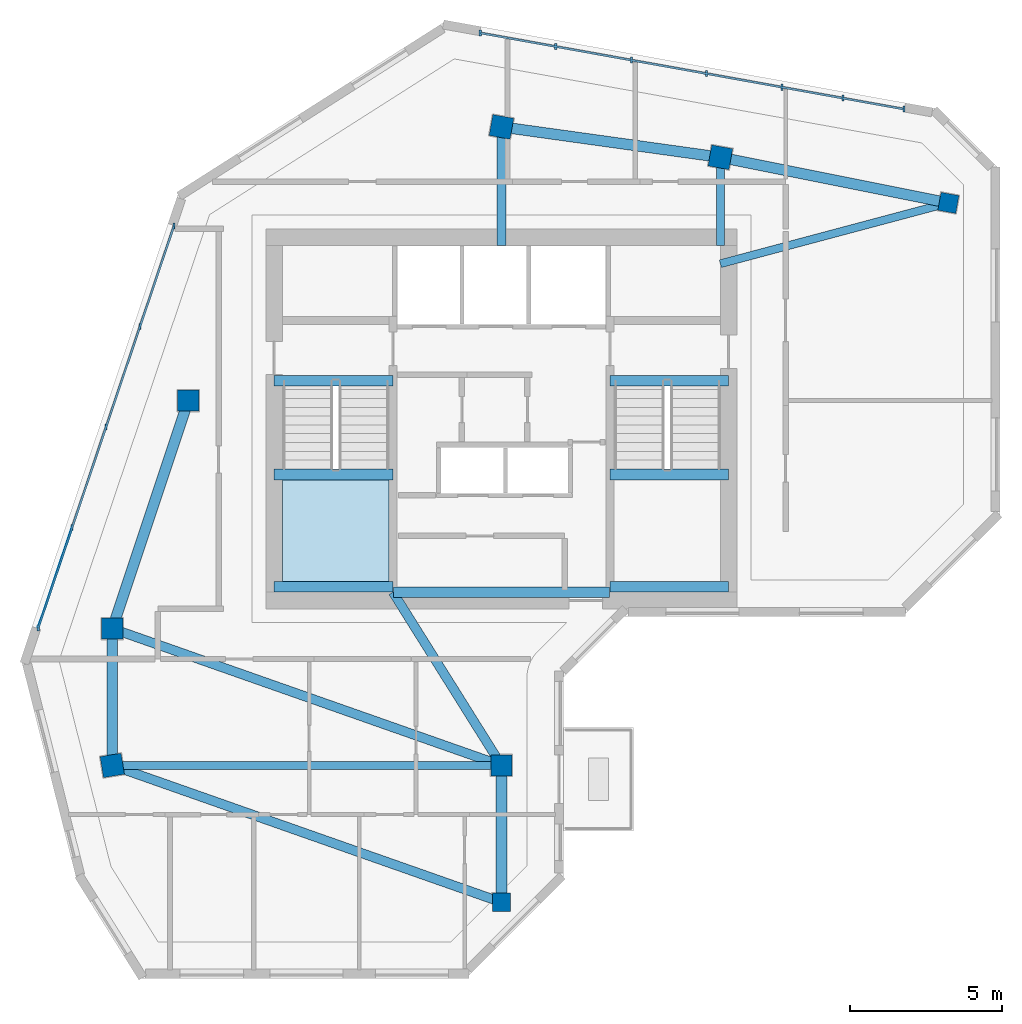
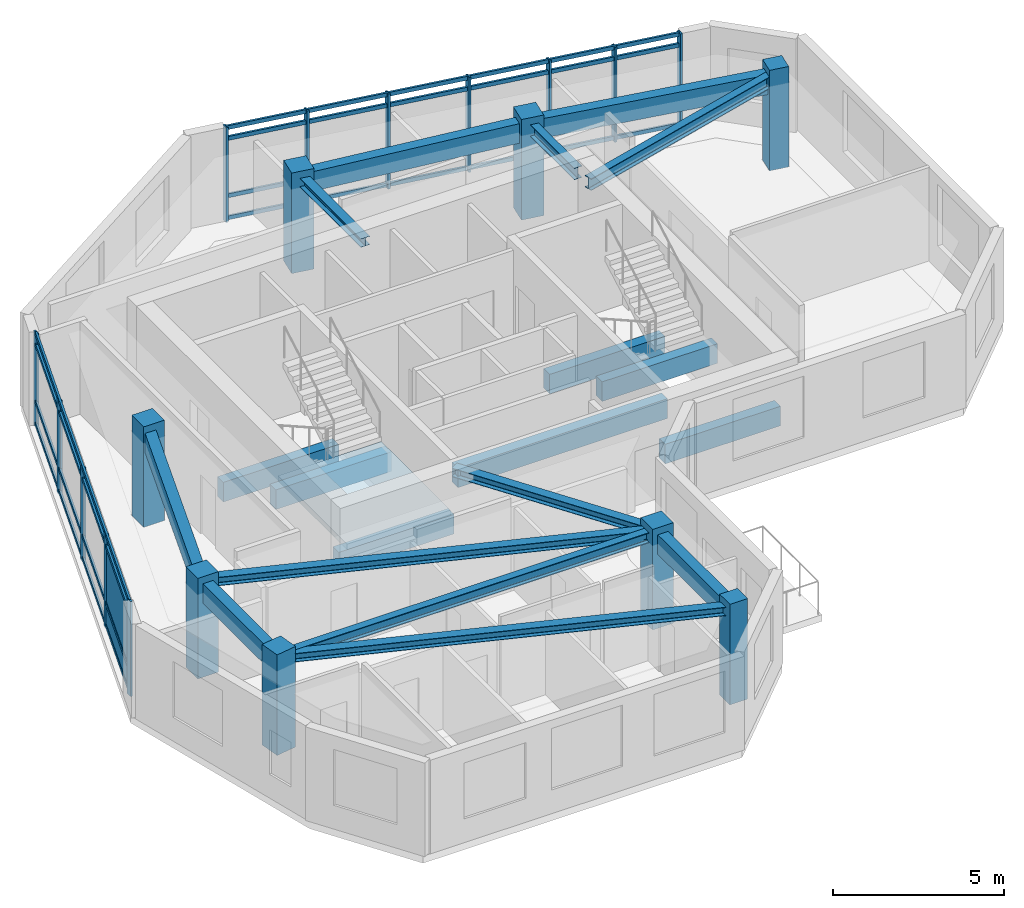
# One storey, part 1 of 7: 20 members, 19 beams, 8 columns, 2 plates, 1 slab, 3 elements without a shape of their own.
"""IFC4 building model written with IfcOpenShell, lengths in metres."""

from ifc_helpers import new_model, si_unit, direction, frame, frame_2d, origin, origin_2d, place, context, subcontext, project, spatial, polyline, rectangle, i_section, outline, extrude, source, transform, mapped, material, layer, layer_set, material_profile, profile_set, type_object, element, aggregate, save


model = new_model("IFC4")

# Units and contexts
model_context = context("Model", 3, precision=1e-05, world=origin(), true_north=direction((0.0, 1.0)))
body_context = subcontext(model_context, "Body", "Model", "MODEL_VIEW")
ifc_project = project(units=[si_unit("LENGTHUNIT", "METRE"), si_unit("AREAUNIT", "SQUARE_METRE"), si_unit("VOLUMEUNIT", "CUBIC_METRE"), si_unit("PLANEANGLEUNIT", "RADIAN"), si_unit("MASSUNIT", "GRAM", prefix="KILO")], contexts=[model_context])

# Site, building, storey
site_placement = place(None, origin())
site = spatial("IfcSite", under=ifc_project, at=site_placement, CompositionType="ELEMENT")
building_placement = place(site_placement, origin())
building = spatial("IfcBuilding", under=site, at=building_placement, Name="Calvemar Wedge Station Tower", CompositionType="ELEMENT")
storey_placement = place(building_placement, frame((0.0, 0.0, 288.89990234375)))
storey = spatial("IfcBuildingStorey", under=building, at=storey_placement, Name="L74", CompositionType="ELEMENT", Elevation=288.89990234375)

# Columns
ifc_material_1 = material(Name="Concrete C50", Category="concrete")
ifc_material_profile_1 = material_profile(ifc_material_1, rectangle(XDim=0.699951171875, YDim=0.699951171875, at=origin_2d()), Name="RC700x700")
ifc_profile_set_1 = profile_set([ifc_material_profile_1], Name="Concrete C50")
column_type_1 = type_object("IfcColumnType", Name="COL-C7-700", PredefinedType="COLUMN", material=ifc_profile_set_1)
shared_shape_1 = source(origin(), body_context, "Body", "SweptSolid", [
    extrude(rectangle(XDim=0.699951171875, YDim=0.699951171875, at=origin_2d()), origin(), (0.0, 0.0, 1.0), 3.60009765625),
])
for number, where, z_axis, x_axis, name in (
    (1, (11.0, 33.0, 0.0), (0.0, 0.0, 1.0), (1.0, 0.0, 0.0), "Storey L74 Column T-NW1"),
    (2, (13.5, 40.5, 0.0), (0.0, 0.0, 1.0), (1.0, 0.0, 0.0), "Storey L74 Column T-NW2"),
    (3, (23.800048828125, 49.5, 0.0), (0.0, 0.0, 1.0), (0.984195607969, -0.17708474032, 0.0), "Storey L74 Column T-N1"),
    (4, (31.0, 48.5, 0.0), (0.0, 0.0, 1.0), (0.984195607969, -0.17708474032, 0.0), "Storey L74 Column T-N2"),
    (5, (11.0, 28.5, 0.0), (0.0, 0.0, 1.0), (0.158158067254, -0.987413806751, 0.0), "Storey L74 Column T-SW1"),
    (6, (23.800048828125, 28.5, 0.0), (0.0, 0.0, 1.0), (1.0, 0.0, 0.0), "Storey L74 Column T-SE1"),
):
    element("IfcColumn", number, at=place(storey_placement, frame(where, z_axis=z_axis, x_axis=x_axis)), inside=storey, type_object=column_type_1, Name=name, PredefinedType="COLUMN", context=body_context, shape_type="MappedRepresentation", body=[
        mapped(shared_shape_1, transform((0.0, 0.0, 0.0), scale=1.0)),
    ])
ifc_material_profile_2 = material_profile(ifc_material_1, rectangle(XDim=0.60009765625, YDim=0.60009765625, at=origin_2d()), Name="RC600x600")
ifc_profile_set_2 = profile_set([ifc_material_profile_2], Name="Concrete C50")
column_type_2 = type_object("IfcColumnType", Name="COL-C8-600", PredefinedType="COLUMN", material=ifc_profile_set_2)
shared_shape_2 = source(origin(), body_context, "Body", "SweptSolid", [
    extrude(rectangle(XDim=0.60009765625, YDim=0.60009765625, at=origin_2d()), origin(), (0.0, 0.0, 1.0), 3.60009765625),
])
for number, where, z_axis, x_axis, name in (
    (7, (38.5, 47.0, 0.0), (0.0, 0.0, 1.0), (0.984195607969, -0.17708474032, 0.0), "Storey L74 Column T-NU3"),
    (8, (23.800048828125, 24.0, 0.0), (0.0, 0.0, 1.0), (1.0, 0.0, 0.0), "Storey L74 Column T-SE2"),
):
    element("IfcColumn", number, at=place(storey_placement, frame(where, z_axis=z_axis, x_axis=x_axis)), inside=storey, type_object=column_type_2, Name=name, PredefinedType="COLUMN", context=body_context, shape_type="MappedRepresentation", body=[
        mapped(shared_shape_2, transform((0.0, 0.0, 0.0), scale=1.0)),
    ])

# Beams
ifc_material_2 = material(Name="Concrete C70", Category="concrete")
ifc_material_profile_3 = material_profile(ifc_material_2, rectangle(XDim=0.35009765625, YDim=0.699951171875, at=origin_2d()), Name="RC350x700")
ifc_profile_set_3 = profile_set([ifc_material_profile_3], Name="Concrete C70")
beam_type_1 = type_object("IfcBeamType", Name="BM-LN1-700", PredefinedType="LINTEL", material=ifc_profile_set_3)
shared_shape_3 = source(origin(), body_context, "Body", "SweptSolid", [
    extrude(rectangle(XDim=0.35009765625, YDim=0.699951171875, at=origin_2d()), origin(), (0.0, 0.0, 1.0), 7.10009765625),
])
beam_1_placement = place(storey_placement, frame((20.25, 34.199951171875, 3.0), z_axis=(1.0, 0.0, 0.0), x_axis=(0.0, 1.0, 0.0)))
element("IfcBeam", 9, at=beam_1_placement, inside=storey, type_object=beam_type_1, Name="Storey L74 Core Coupling Lintel South", PredefinedType="LINTEL", context=body_context, shape_type="MappedRepresentation", body=[
    mapped(shared_shape_3, transform((0.0, 0.0, 0.0), scale=1.0)),
])
ifc_material_3 = material(Name="Structural steel ASTM A572 Grade 50", Category="steel")
ifc_material_profile_4 = material_profile(ifc_material_3, i_section(OverallWidth=0.304931640625, OverallDepth=0.30810546875, WebThickness=0.010009765625, FlangeThickness=0.015380859375, FilletRadius=0.014892578125, at=origin_2d()), Name="W310x97")
ifc_profile_set_4 = profile_set([ifc_material_profile_4], Name="Structural steel ASTM A572 Grade 50")
beam_type_2 = type_object("IfcBeamType", Name="BM-J6-W310", PredefinedType="JOIST", material=ifc_profile_set_4)
shared_shape_4 = source(origin(), body_context, "Body", "SweptSolid", [
    extrude(i_section(OverallWidth=0.304931640625, OverallDepth=0.30810546875, WebThickness=0.010009765625, FlangeThickness=0.015380859375, FilletRadius=0.014892578125, at=origin_2d()), origin(), (0.0, 0.0, 1.0), 13.568115234375),
])
for number, where, z_axis, x_axis, name in (
    (10, (11.0, 33.0, 3.196044921875), (0.943398221169, -0.331662171939, 0.0), (0.331662171939, 0.943398221169, 0.0), "Storey L74 Floor Beam T-NW1-T-SE1"),
    (11, (11.0, 28.5, 3.196044921875), (0.943398221169, -0.331662171939, 0.0), (0.331662171939, 0.943398221169, 0.0), "Storey L74 Floor Beam T-SW1-T-SE2"),
):
    element("IfcBeam", number, at=place(storey_placement, frame(where, z_axis=z_axis, x_axis=x_axis)), inside=storey, type_object=beam_type_2, Name=name, PredefinedType="JOIST", context=body_context, shape_type="MappedRepresentation", body=[
        mapped(shared_shape_4, transform((0.0, 0.0, 0.0), scale=1.0)),
    ])
ifc_material_profile_5 = material_profile(ifc_material_3, i_section(OverallWidth=0.260986328125, OverallDepth=0.419921875, WebThickness=0.01171875, FlangeThickness=0.019287109375, FilletRadius=0.012939453125, at=origin_2d()), Name="W410x114")
ifc_profile_set_5 = profile_set([ifc_material_profile_5], Name="Structural steel ASTM A572 Grade 50")
beam_type_3 = type_object("IfcBeamType", Name="BM-J2-W410H", PredefinedType="JOIST", material=ifc_profile_set_5)
shared_shape_5 = source(origin(), body_context, "Body", "SweptSolid", [
    extrude(i_section(OverallWidth=0.260986328125, OverallDepth=0.419921875, WebThickness=0.01171875, FlangeThickness=0.019287109375, FilletRadius=0.012939453125, at=origin_2d()), origin(), (0.0, 0.0, 1.0), 7.76220703125),
])
beam_2_placement = place(storey_placement, frame((31.0, 45.0, 3.14013671875), z_axis=(0.966234939601, 0.25766265056, 0.0), x_axis=(-0.25766265056, 0.966234939601, 0.0)))
element("IfcBeam", 12, at=beam_2_placement, inside=storey, type_object=beam_type_3, Name="Storey L74 Core-to-Column Joist CJ-E2", PredefinedType="JOIST", context=body_context, shape_type="MappedRepresentation", body=[
    mapped(shared_shape_5, transform((0.0, 0.0, 0.0), scale=1.0)),
])
shared_shape_6 = source(origin(), body_context, "Body", "SweptSolid", [
    extrude(i_section(OverallWidth=0.304931640625, OverallDepth=0.30810546875, WebThickness=0.010009765625, FlangeThickness=0.015380859375, FilletRadius=0.014892578125, at=origin_2d()), origin(), (0.0, 0.0, 1.0), 3.89990234375),
])
beam_3_placement = place(storey_placement, frame((23.800048828125, 45.60009765625, 3.196044921875), z_axis=(0.0, 1.0, 0.0), x_axis=(-1.0, 0.0, 0.0)))
element("IfcBeam", 13, at=beam_3_placement, inside=storey, type_object=beam_type_2, Name="Storey L74 Core-to-Column Joist CJ-N1", PredefinedType="JOIST", context=body_context, shape_type="MappedRepresentation", body=[
    mapped(shared_shape_6, transform((0.0, 0.0, 0.0), scale=1.0)),
])
shared_shape_7 = source(origin(), body_context, "Body", "SweptSolid", [
    extrude(i_section(OverallWidth=0.260986328125, OverallDepth=0.419921875, WebThickness=0.01171875, FlangeThickness=0.019287109375, FilletRadius=0.012939453125, at=origin_2d()), origin(), (0.0, 0.0, 1.0), 2.89990234375),
])
beam_4_placement = place(storey_placement, frame((31.0, 45.60009765625, 3.14013671875), z_axis=(0.0, 1.0, 0.0), x_axis=(-1.0, 0.0, 0.0)))
element("IfcBeam", 14, at=beam_4_placement, inside=storey, type_object=beam_type_3, Name="Storey L74 Core-to-Column Joist CJ-N2", PredefinedType="JOIST", context=body_context, shape_type="MappedRepresentation", body=[
    mapped(shared_shape_7, transform((0.0, 0.0, 0.0), scale=1.0)),
])
shared_shape_8 = source(origin(), body_context, "Body", "SweptSolid", [
    extrude(i_section(OverallWidth=0.304931640625, OverallDepth=0.30810546875, WebThickness=0.010009765625, FlangeThickness=0.015380859375, FilletRadius=0.014892578125, at=origin_2d()), origin(), (0.0, 0.0, 1.0), 6.7255859375),
])
beam_5_placement = place(storey_placement, frame((20.22998046875, 34.199951171875, 3.196044921875), z_axis=(0.530811158438, -0.847490126242, 0.0), x_axis=(0.847490126242, 0.530811158438, 0.0)))
element("IfcBeam", 15, at=beam_5_placement, inside=storey, type_object=beam_type_2, Name="Storey L74 Core-to-Column Joist CJ-S2", PredefinedType="JOIST", context=body_context, shape_type="MappedRepresentation", body=[
    mapped(shared_shape_8, transform((0.0, 0.0, 0.0), scale=1.0)),
])
ifc_material_profile_6 = material_profile(ifc_material_1, rectangle(XDim=0.35009765625, YDim=0.699951171875, at=origin_2d()), Name="RC350x700")
ifc_profile_set_6 = profile_set([ifc_material_profile_6], Name="Concrete C50")
beam_type_4 = type_object("IfcBeamType", Name="BM-SP2-700", PredefinedType="SPANDREL", material=ifc_profile_set_6)
shared_shape_9 = source(origin(), body_context, "Body", "SweptSolid", [
    extrude(rectangle(XDim=0.35009765625, YDim=0.699951171875, at=origin_2d()), origin(), (0.0, 0.0, 1.0), 7.90576171875),
])
beam_6_placement = place(storey_placement, frame((11.0, 33.0, 3.0), z_axis=(0.316227766017, 0.948683298051, 0.0), x_axis=(-0.948683298051, 0.316227766017, 0.0)))
element("IfcBeam", 16, at=beam_6_placement, inside=storey, type_object=beam_type_4, Name="Storey L74 Spandrel T-NW1-T-NW2", PredefinedType="SPANDREL", context=body_context, shape_type="MappedRepresentation", body=[
    mapped(shared_shape_9, transform((0.0, 0.0, 0.0), scale=1.0)),
])
shared_shape_10 = source(origin(), body_context, "Body", "SweptSolid", [
    extrude(rectangle(XDim=0.35009765625, YDim=0.699951171875, at=origin_2d()), origin(), (0.0, 0.0, 1.0), 7.26904296875),
])
beam_7_placement = place(storey_placement, frame((23.800048828125, 49.5, 3.0), z_axis=(0.990492146053, -0.13756928657, 0.0), x_axis=(0.13756928657, 0.990492146053, 0.0)))
element("IfcBeam", 17, at=beam_7_placement, inside=storey, type_object=beam_type_4, Name="Storey L74 Spandrel T-N1-T-N2", PredefinedType="SPANDREL", context=body_context, shape_type="MappedRepresentation", body=[
    mapped(shared_shape_10, transform((0.0, 0.0, 0.0), scale=1.0)),
])
shared_shape_11 = source(origin(), body_context, "Body", "SweptSolid", [
    extrude(rectangle(XDim=0.35009765625, YDim=0.699951171875, at=origin_2d()), origin(), (0.0, 0.0, 1.0), 7.6484375),
])
beam_8_placement = place(storey_placement, frame((31.0, 48.5, 3.0), z_axis=(0.980580675691, -0.196116135138, 0.0), x_axis=(0.196116135138, 0.980580675691, 0.0)))
element("IfcBeam", 18, at=beam_8_placement, inside=storey, type_object=beam_type_4, Name="Storey L74 Spandrel T-N2-T-NU3", PredefinedType="SPANDREL", context=body_context, shape_type="MappedRepresentation", body=[
    mapped(shared_shape_11, transform((0.0, 0.0, 0.0), scale=1.0)),
])
shared_shape_12 = source(origin(), body_context, "Body", "SweptSolid", [
    extrude(rectangle(XDim=0.35009765625, YDim=0.699951171875, at=origin_2d()), origin(), (0.0, 0.0, 1.0), 4.5),
])
for number, where, z_axis, x_axis, name in (
    (19, (11.0, 33.0, 3.0), (0.0, -1.0, 0.0), (1.0, 0.0, 0.0), "Storey L74 Spandrel T-NW1-T-SW1"),
    (20, (23.800048828125, 28.5, 3.0), (0.0, -1.0, 0.0), (1.0, 0.0, 0.0), "Storey L74 Spandrel T-SE1-T-SE2"),
):
    element("IfcBeam", number, at=place(storey_placement, frame(where, z_axis=z_axis, x_axis=x_axis)), inside=storey, type_object=beam_type_4, Name=name, PredefinedType="SPANDREL", context=body_context, shape_type="MappedRepresentation", body=[
        mapped(shared_shape_12, transform((0.0, 0.0, 0.0), scale=1.0)),
    ])
shared_shape_13 = source(origin(), body_context, "Body", "SweptSolid", [
    extrude(rectangle(XDim=0.35009765625, YDim=0.699951171875, at=origin_2d()), origin(), (0.0, 0.0, 1.0), 3.905029296875),
])
for number, where, z_axis, x_axis, name in (
    (21, (16.324951171875, 41.14990234375, -0.349853515625), (1.0, 0.0, 0.0), (0.0, 1.0, 0.0), "Storey L74 Stair ST-C1 Landing Trimmer Beam"),
    (22, (16.324951171875, 34.3798828125, 1.25), (1.0, 0.0, 0.0), (0.0, 1.0, 0.0), "Storey L74 Stair ST-C1 Half-Landing Beam 1A"),
    (23, (16.324951171875, 38.070068359375, 1.25), (1.0, 0.0, 0.0), (0.0, 1.0, 0.0), "Storey L74 Stair ST-C1 Half-Landing Beam 1B"),
):
    element("IfcBeam", number, at=place(storey_placement, frame(where, z_axis=z_axis, x_axis=x_axis)), inside=storey, type_object=beam_type_1, Name=name, PredefinedType="LINTEL", context=body_context, shape_type="MappedRepresentation", body=[
        mapped(shared_shape_13, transform((0.0, 0.0, 0.0), scale=1.0)),
    ])
shared_shape_14 = source(origin(), body_context, "Body", "SweptSolid", [
    extrude(rectangle(XDim=0.35009765625, YDim=0.699951171875, at=origin_2d()), origin(), (0.0, 0.0, 1.0), 3.90478515625),
])
for number, where, z_axis, x_axis, name in (
    (24, (27.3701171875, 41.14990234375, -0.349853515625), (1.0, 0.0, 0.0), (0.0, 1.0, 0.0), "Storey L74 Stair ST-C2 Landing Trimmer Beam"),
    (25, (27.3701171875, 34.3798828125, 1.25), (1.0, 0.0, 0.0), (0.0, 1.0, 0.0), "Storey L74 Stair ST-C2 Half-Landing Beam 1A"),
    (26, (27.3701171875, 38.070068359375, 1.25), (1.0, 0.0, 0.0), (0.0, 1.0, 0.0), "Storey L74 Stair ST-C2 Half-Landing Beam 1B"),
):
    element("IfcBeam", number, at=place(storey_placement, frame(where, z_axis=z_axis, x_axis=x_axis)), inside=storey, type_object=beam_type_1, Name=name, PredefinedType="LINTEL", context=body_context, shape_type="MappedRepresentation", body=[
        mapped(shared_shape_14, transform((0.0, 0.0, 0.0), scale=1.0)),
    ])
ifc_material_profile_7 = material_profile(ifc_material_3, i_section(OverallWidth=0.257080078125, OverallDepth=0.363037109375, WebThickness=0.012939453125, FlangeThickness=0.021728515625, FilletRadius=0.014892578125, at=origin_2d()), Name="W360x122")
ifc_profile_set_7 = profile_set([ifc_material_profile_7], Name="Structural steel ASTM A572 Grade 50")
beam_type_5 = type_object("IfcBeamType", Name="BM-J4-W360", PredefinedType="JOIST", material=ifc_profile_set_7)
shared_shape_15 = source(origin(), body_context, "Body", "SweptSolid", [
    extrude(i_section(OverallWidth=0.257080078125, OverallDepth=0.363037109375, WebThickness=0.012939453125, FlangeThickness=0.021728515625, FilletRadius=0.014892578125, at=origin_2d()), origin(), (0.0, 0.0, 1.0), 12.800048828125),
])
beam_9_placement = place(storey_placement, frame((11.0, 28.5, 3.168701171875), z_axis=(1.0, 0.0, 0.0), x_axis=(0.0, 1.0, 0.0)))
element("IfcBeam", 27, at=beam_9_placement, inside=storey, type_object=beam_type_5, Name="Storey L74 Floor Beam T-SW1-T-SE1", PredefinedType="JOIST", context=body_context, shape_type="MappedRepresentation", body=[
    mapped(shared_shape_15, transform((0.0, 0.0, 0.0), scale=1.0)),
])

# Curtain wall, members
ifc_material_4 = material(Name="Anodised aluminium 6063-T6", Category="aluminium")
curtain_wall_type = type_object("IfcCurtainWallType", Name="CW4", PredefinedType="NOTDEFINED", material=ifc_material_4)
curtain_wall_1_placement = place(storey_placement, origin())
curtain_wall_1 = element("IfcCurtainWall", 28, at=curtain_wall_1_placement, inside=storey, type_object=curtain_wall_type, Name="Storey L74 CW4 Recessed Unitised Curtain Wall 10", PredefinedType="NOTDEFINED")
ifc_material_profile_8 = material_profile(ifc_material_4, rectangle(XDim=0.070068359375, YDim=0.199951171875, at=origin_2d()), Name="AL-MUL-70x200")
ifc_profile_set_8 = profile_set([ifc_material_profile_8], Name="Anodised aluminium 6063-T6")
member_type_1 = type_object("IfcMemberType", Name="CW4-MUL", PredefinedType="MULLION", material=ifc_profile_set_8)
shared_shape_16 = source(origin(), body_context, "Body", "SweptSolid", [
    extrude(rectangle(XDim=0.070068359375, YDim=0.199951171875, at=origin_2d()), origin(), (0.0, 0.0, 1.0), 3.39990234375),
])
member_1_placement = place(storey_placement, frame((37.033935546875, 50.084228515625, -0.0498046875), z_axis=(0.0, 0.0, 1.0), x_axis=(1.0, 0.0, 0.0)))
member_1 = element("IfcMember", 29, at=member_1_placement, type_object=member_type_1, Name="CW4 mullion 1", PredefinedType="MULLION", context=body_context, shape_type="MappedRepresentation", body=[
    mapped(shared_shape_16, transform((0.0, 0.0, 0.0), scale=1.0)),
])
member_2_placement = place(storey_placement, frame((35.02783203125, 50.44482421875, -0.0498046875), z_axis=(0.0, 0.0, 1.0), x_axis=(1.0, 0.0, 0.0)))
member_2 = element("IfcMember", 30, at=member_2_placement, type_object=member_type_1, Name="CW4 mullion 2", PredefinedType="MULLION", context=body_context, shape_type="MappedRepresentation", body=[
    mapped(shared_shape_16, transform((0.0, 0.0, 0.0), scale=1.0)),
])
member_3_placement = place(storey_placement, frame((33.02197265625, 50.805419921875, -0.0498046875), z_axis=(0.0, 0.0, 1.0), x_axis=(1.0, 0.0, 0.0)))
member_3 = element("IfcMember", 31, at=member_3_placement, type_object=member_type_1, Name="CW4 mullion 3", PredefinedType="MULLION", context=body_context, shape_type="MappedRepresentation", body=[
    mapped(shared_shape_16, transform((0.0, 0.0, 0.0), scale=1.0)),
])
member_4_placement = place(storey_placement, frame((30.546875, 51.250244140625, -0.0498046875), z_axis=(0.0, 0.0, 1.0), x_axis=(1.0, 0.0, 0.0)))
member_4 = element("IfcMember", 32, at=member_4_placement, type_object=member_type_1, Name="CW4 mullion 4", PredefinedType="MULLION", context=body_context, shape_type="MappedRepresentation", body=[
    mapped(shared_shape_16, transform((0.0, 0.0, 0.0), scale=1.0)),
])
member_5_placement = place(storey_placement, frame((28.072021484375, 51.695068359375, -0.0498046875), z_axis=(0.0, 0.0, 1.0), x_axis=(1.0, 0.0, 0.0)))
member_5 = element("IfcMember", 33, at=member_5_placement, type_object=member_type_1, Name="CW4 mullion 5", PredefinedType="MULLION", context=body_context, shape_type="MappedRepresentation", body=[
    mapped(shared_shape_16, transform((0.0, 0.0, 0.0), scale=1.0)),
])
member_6_placement = place(storey_placement, frame((25.587646484375, 52.1416015625, -0.0498046875), z_axis=(0.0, 0.0, 1.0), x_axis=(1.0, 0.0, 0.0)))
member_6 = element("IfcMember", 34, at=member_6_placement, type_object=member_type_1, Name="CW4 mullion 6", PredefinedType="MULLION", context=body_context, shape_type="MappedRepresentation", body=[
    mapped(shared_shape_16, transform((0.0, 0.0, 0.0), scale=1.0)),
])
member_7_placement = place(storey_placement, frame((23.10302734375, 52.58837890625, -0.0498046875), z_axis=(0.0, 0.0, 1.0), x_axis=(1.0, 0.0, 0.0)))
member_7 = element("IfcMember", 35, at=member_7_placement, type_object=member_type_1, Name="CW4 mullion 7", PredefinedType="MULLION", context=body_context, shape_type="MappedRepresentation", body=[
    mapped(shared_shape_16, transform((0.0, 0.0, 0.0), scale=1.0)),
])

curtain_wall_2_placement = place(storey_placement, origin())
curtain_wall_2 = element("IfcCurtainWall", 36, at=curtain_wall_2_placement, inside=storey, type_object=curtain_wall_type, Name="Storey L74 CW4 Recessed Unitised Curtain Wall 12", PredefinedType="NOTDEFINED")
member_8_placement = place(storey_placement, frame((13.030029296875, 46.240478515625, -0.0498046875), z_axis=(0.0, 0.0, 1.0), x_axis=(1.0, 0.0, 0.0)))
member_8 = element("IfcMember", 37, at=member_8_placement, type_object=member_type_1, Name="CW4 mullion 1", PredefinedType="MULLION", context=body_context, shape_type="MappedRepresentation", body=[
    mapped(shared_shape_16, transform((0.0, 0.0, 0.0), scale=1.0)),
])
member_9_placement = place(storey_placement, frame((11.913818359375, 42.9345703125, -0.0498046875), z_axis=(0.0, 0.0, 1.0), x_axis=(1.0, 0.0, 0.0)))
member_9 = element("IfcMember", 38, at=member_9_placement, type_object=member_type_1, Name="CW4 mullion 2", PredefinedType="MULLION", context=body_context, shape_type="MappedRepresentation", body=[
    mapped(shared_shape_16, transform((0.0, 0.0, 0.0), scale=1.0)),
])
member_10_placement = place(storey_placement, frame((10.797607421875, 39.628662109375, -0.0498046875), z_axis=(0.0, 0.0, 1.0), x_axis=(1.0, 0.0, 0.0)))
member_10 = element("IfcMember", 39, at=member_10_placement, type_object=member_type_1, Name="CW4 mullion 3", PredefinedType="MULLION", context=body_context, shape_type="MappedRepresentation", body=[
    mapped(shared_shape_16, transform((0.0, 0.0, 0.0), scale=1.0)),
])
member_11_placement = place(storey_placement, frame((9.681396484375, 36.32275390625, -0.0498046875), z_axis=(0.0, 0.0, 1.0), x_axis=(1.0, 0.0, 0.0)))
member_11 = element("IfcMember", 40, at=member_11_placement, type_object=member_type_1, Name="CW4 mullion 4", PredefinedType="MULLION", context=body_context, shape_type="MappedRepresentation", body=[
    mapped(shared_shape_16, transform((0.0, 0.0, 0.0), scale=1.0)),
])
member_12_placement = place(storey_placement, frame((8.56494140625, 33.016845703125, -0.0498046875), z_axis=(0.0, 0.0, 1.0), x_axis=(1.0, 0.0, 0.0)))
member_12 = element("IfcMember", 41, at=member_12_placement, type_object=member_type_1, Name="CW4 mullion 5", PredefinedType="MULLION", context=body_context, shape_type="MappedRepresentation", body=[
    mapped(shared_shape_16, transform((0.0, 0.0, 0.0), scale=1.0)),
])

# Member
ifc_material_profile_9 = material_profile(ifc_material_4, rectangle(XDim=0.070068359375, YDim=0.139892578125, at=origin_2d()), Name="AL-TRN-70x140")
ifc_profile_set_9 = profile_set([ifc_material_profile_9], Name="Anodised aluminium 6063-T6")
member_type_2 = type_object("IfcMemberType", Name="CW4-TRN", PredefinedType="USERDEFINED", material=ifc_profile_set_9)
shared_shape_17 = source(origin(), body_context, "Body", "SweptSolid", [
    extrude(rectangle(XDim=0.070068359375, YDim=0.139892578125, at=origin_2d()), origin(), (0.0, 0.0, 1.0), 14.154296875),
])
member_13_placement = place(storey_placement, frame((37.033935546875, 50.084228515625, 0.06005859375), z_axis=(-0.984225338595, 0.17691942479, 0.0), x_axis=(-0.17691942479, -0.984225338595, 0.0)))
member_13 = element("IfcMember", 42, at=member_13_placement, type_object=member_type_2, Name="CW4 transom 1", ObjectType="TRANSOM", PredefinedType="USERDEFINED", context=body_context, shape_type="MappedRepresentation", body=[
    mapped(shared_shape_17, transform((0.0, 0.0, 0.0), scale=1.0)),
])

member_14_placement = place(storey_placement, frame((37.033935546875, 50.084228515625, 0.85009765625), z_axis=(-0.984225338595, 0.17691942479, 0.0), x_axis=(-0.17691942479, -0.984225338595, 0.0)))
member_14 = element("IfcMember", 43, at=member_14_placement, type_object=member_type_2, Name="CW4 transom 2", ObjectType="TRANSOM", PredefinedType="USERDEFINED", context=body_context, shape_type="MappedRepresentation", body=[
    mapped(shared_shape_17, transform((0.0, 0.0, 0.0), scale=1.0)),
])

member_15_placement = place(storey_placement, frame((37.033935546875, 50.084228515625, 2.900146484375), z_axis=(-0.984225338595, 0.17691942479, 0.0), x_axis=(-0.17691942479, -0.984225338595, 0.0)))
member_15 = element("IfcMember", 44, at=member_15_placement, type_object=member_type_2, Name="CW4 transom 3", ObjectType="TRANSOM", PredefinedType="USERDEFINED", context=body_context, shape_type="MappedRepresentation", body=[
    mapped(shared_shape_17, transform((0.0, 0.0, 0.0), scale=1.0)),
])

member_16_placement = place(storey_placement, frame((37.033935546875, 50.084228515625, 3.2900390625), z_axis=(-0.984225338595, 0.17691942479, 0.0), x_axis=(-0.17691942479, -0.984225338595, 0.0)))
member_16 = element("IfcMember", 45, at=member_16_placement, type_object=member_type_2, Name="CW4 transom 4", ObjectType="TRANSOM", PredefinedType="USERDEFINED", context=body_context, shape_type="MappedRepresentation", body=[
    mapped(shared_shape_17, transform((0.0, 0.0, 0.0), scale=1.0)),
])

aggregate(curtain_wall_1, [member_1, member_2, member_3, member_4, member_5, member_6, member_7, member_13, member_14, member_15, member_16])

shared_shape_18 = source(origin(), body_context, "Body", "SweptSolid", [
    extrude(rectangle(XDim=0.070068359375, YDim=0.139892578125, at=origin_2d()), origin(), (0.0, 0.0, 1.0), 13.95703125),
])
member_17_placement = place(storey_placement, frame((13.030029296875, 46.240478515625, 0.06005859375), z_axis=(-0.319914475782, -0.947446424968, 0.0), x_axis=(0.947446424968, -0.319914475782, 0.0)))
member_17 = element("IfcMember", 46, at=member_17_placement, type_object=member_type_2, Name="CW4 transom 1", ObjectType="TRANSOM", PredefinedType="USERDEFINED", context=body_context, shape_type="MappedRepresentation", body=[
    mapped(shared_shape_18, transform((0.0, 0.0, 0.0), scale=1.0)),
])

member_18_placement = place(storey_placement, frame((13.030029296875, 46.240478515625, 0.85009765625), z_axis=(-0.319914475782, -0.947446424968, 0.0), x_axis=(0.947446424968, -0.319914475782, 0.0)))
member_18 = element("IfcMember", 47, at=member_18_placement, type_object=member_type_2, Name="CW4 transom 2", ObjectType="TRANSOM", PredefinedType="USERDEFINED", context=body_context, shape_type="MappedRepresentation", body=[
    mapped(shared_shape_18, transform((0.0, 0.0, 0.0), scale=1.0)),
])

member_19_placement = place(storey_placement, frame((13.030029296875, 46.240478515625, 2.900146484375), z_axis=(-0.319914475782, -0.947446424968, 0.0), x_axis=(0.947446424968, -0.319914475782, 0.0)))
member_19 = element("IfcMember", 48, at=member_19_placement, type_object=member_type_2, Name="CW4 transom 3", ObjectType="TRANSOM", PredefinedType="USERDEFINED", context=body_context, shape_type="MappedRepresentation", body=[
    mapped(shared_shape_18, transform((0.0, 0.0, 0.0), scale=1.0)),
])

member_20_placement = place(storey_placement, frame((13.030029296875, 46.240478515625, 3.2900390625), z_axis=(-0.319914475782, -0.947446424968, 0.0), x_axis=(0.947446424968, -0.319914475782, 0.0)))
member_20 = element("IfcMember", 49, at=member_20_placement, type_object=member_type_2, Name="CW4 transom 4", ObjectType="TRANSOM", PredefinedType="USERDEFINED", context=body_context, shape_type="MappedRepresentation", body=[
    mapped(shared_shape_18, transform((0.0, 0.0, 0.0), scale=1.0)),
])

# Plate
ifc_material_5 = material(Name="Low-E laminated insulated glass", Category="glass")
ifc_layer_1 = layer(ifc_material_5, 0.028076171875)
ifc_layer_set_1 = layer_set([ifc_layer_1], Name="Low-E laminated insulated glass")
plate_type_1 = type_object("IfcPlateType", Name="CW4-GLZ", PredefinedType="CURTAIN_PANEL", material=ifc_layer_set_1)
plate_1_placement = place(storey_placement, frame((9.675537109375, 36.3056640625, 0.8701171875), z_axis=(0.0, 0.0, 1.0), x_axis=(-0.319915894708, -0.947445945853, 0.0)))
plate_1 = element("IfcPlate", 50, at=plate_1_placement, type_object=plate_type_1, Name="CW4 vision glass panel 4", PredefinedType="CURTAIN_PANEL", context=body_context, shape_type="SweptSolid", body=[
    extrude(rectangle(XDim=3.453125, YDim=0.028076171875, at=frame_2d((1.7265625, 0.0))), origin(), (0.0, 0.0, 1.0), 2.010009765625),
])

ifc_material_6 = material(Name="Oxidized bronze aluminium spandrel panel 5005-H24", Category="aluminium")
ifc_layer_2 = layer(ifc_material_6, 0.0400390625)
ifc_layer_set_2 = layer_set([ifc_layer_2], Name="Oxidized bronze aluminium spandrel panel 5005-H24")
plate_type_2 = type_object("IfcPlateType", Name="CW4-SPD", PredefinedType="SHEET", material=ifc_layer_set_2)
plate_2_placement = place(storey_placement, frame((9.675537109375, 36.3056640625, 0.080078125), z_axis=(0.0, 0.0, 1.0), x_axis=(-0.319915894708, -0.947445945853, 0.0)))
plate_2 = element("IfcPlate", 51, at=plate_2_placement, type_object=plate_type_2, Name="CW4 bronze spandrel panel 4", PredefinedType="SHEET", context=body_context, shape_type="SweptSolid", body=[
    extrude(rectangle(XDim=3.453125, YDim=0.0400390625, at=frame_2d((1.7265625, 0.0))), origin(), (0.0, 0.0, 1.0), 0.75),
])

aggregate(curtain_wall_2, [member_8, member_9, member_10, member_11, member_12, member_17, member_18, member_19, member_20, plate_2, plate_1])

# Stair, slab
ifc_material_7 = material(Name="Concrete C45", Category="concrete")
stair_type = type_object("IfcStairType", Name="ST-TYPE-3600", PredefinedType="HALF_TURN_STAIR", material=ifc_material_7)
stair_placement = place(storey_placement, origin())
stair = element("IfcStair", 52, at=stair_placement, inside=storey, type_object=stair_type, Name="L74 Pressurized Core Exit Stair ST-C1", PredefinedType="HALF_TURN_STAIR")
ifc_layer_3 = layer(ifc_material_7, 0.199951171875)
ifc_layer_set_3 = layer_set([ifc_layer_3], Name="Concrete C45")
slab_type = type_object("IfcSlabType", Name="SL-STAIR-LND-200", PredefinedType="LANDING", material=ifc_layer_set_3)
slab_placement = place(storey_placement, frame((0.0, 0.0, 1.60009765625)))
slab = element("IfcSlab", 53, at=slab_placement, type_object=slab_type, Name="ST-C1 landing 1", PredefinedType="LANDING", context=body_context, shape_type="SweptSolid", body=[
    extrude(outline(polyline([(16.60009765625, 38.25), (16.60009765625, 34.199951171875), (20.10009765625, 34.199951171875), (20.10009765625, 38.25), (16.60009765625, 38.25)])), origin(), (0.0, 0.0, 1.0), 0.199951171875),
])
aggregate(stair, [slab])

save(model, "model.ifc")
